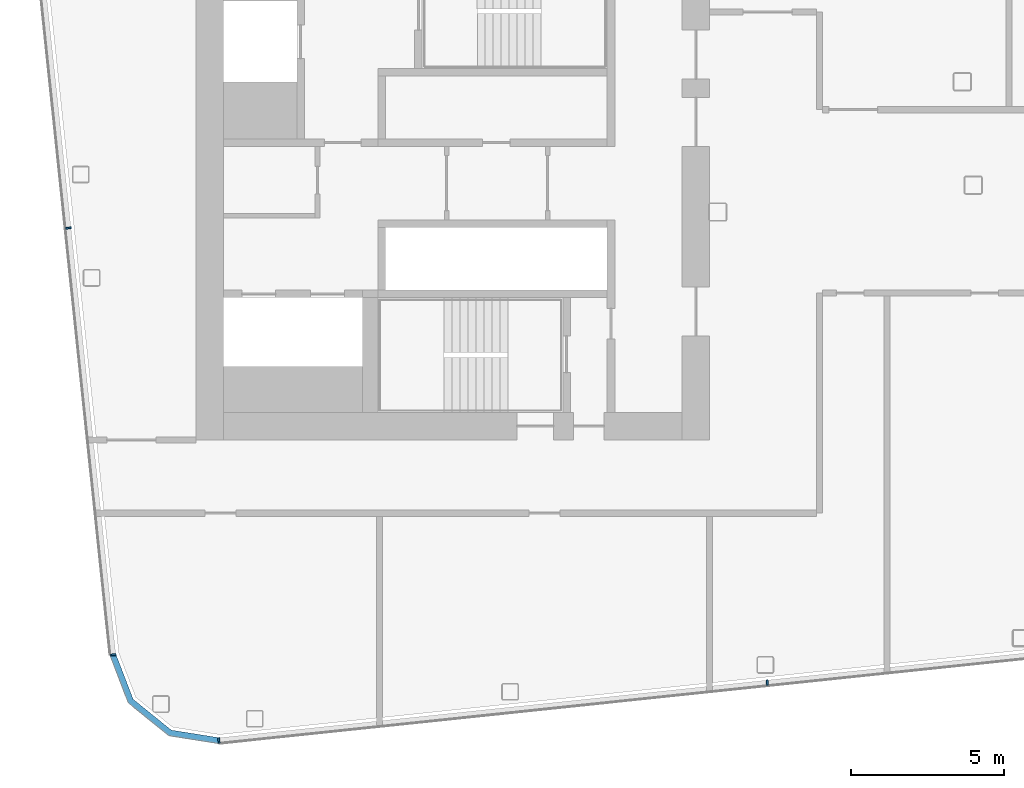
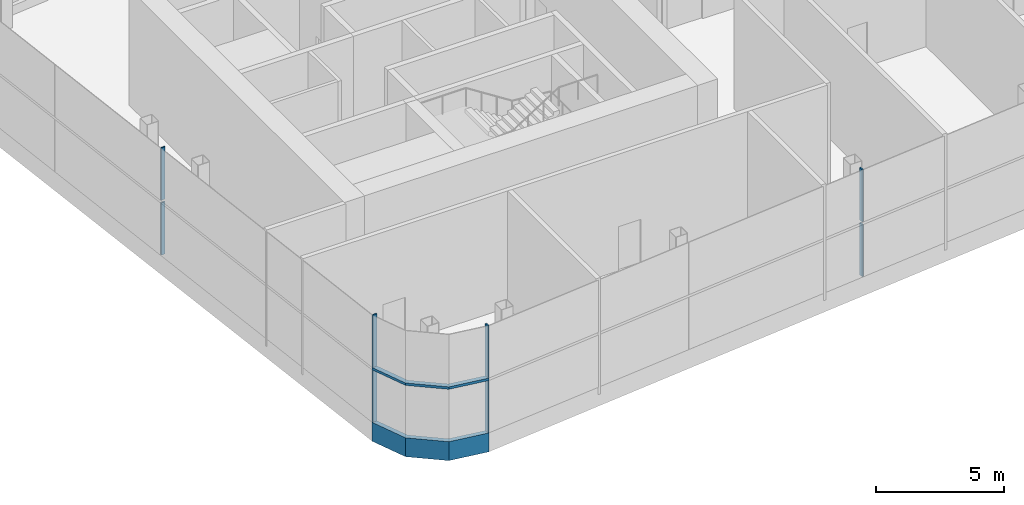
# One storey, part 3 of 35: 10 members, 3 elements without a shape of their own.
"""IFC4 building model written with IfcOpenShell, lengths in metres."""

from ifc_helpers import new_model, si_unit, direction, frame, origin, origin_2d, place, context, subcontext, project, spatial, polyline, rectangle, outline, extrude, material, layer, layer_set, material_profile, profile_set, type_object, element, aggregate, save


model = new_model("IFC4")

# Units and contexts
model_context = context("Model", 3, precision=1e-05, world=origin(), true_north=direction((0.0, 1.0)))
body_context = subcontext(model_context, "Body", "Model", "MODEL_VIEW")
ifc_project = project(units=[si_unit("LENGTHUNIT", "METRE"), si_unit("AREAUNIT", "SQUARE_METRE"), si_unit("VOLUMEUNIT", "CUBIC_METRE"), si_unit("PLANEANGLEUNIT", "RADIAN"), si_unit("MASSUNIT", "GRAM", prefix="KILO")], contexts=[model_context])

# Site, building, storey
site_placement = place(None, origin())
site = spatial("IfcSite", under=ifc_project, at=site_placement, CompositionType="ELEMENT")
building_placement = place(site_placement, origin())
building = spatial("IfcBuilding", under=site, at=building_placement, Name="Hakoniwa Tower and Hamabe Station Hall", CompositionType="ELEMENT")
storey_placement = place(building_placement, frame((0.0, 0.0, 264.60009765625)))
storey = spatial("IfcBuildingStorey", under=building, at=storey_placement, Name="L75", CompositionType="ELEMENT", Elevation=264.60009765625)

# Curtain wall, members
ifc_material_1 = material(Name="Dark low-e laminated glass", Category="glass")
ifc_layer = layer(ifc_material_1, 0.199951171875)
ifc_layer_set = layer_set([ifc_layer], Name="CW-1 UNITISED GUEST")
curtain_wall_type = type_object("IfcCurtainWallType", Name="CW-1 UNITISED GUEST", PredefinedType="NOTDEFINED", material=ifc_layer_set)
curtain_wall_1_placement = place(storey_placement, origin())
curtain_wall_1 = element("IfcCurtainWall", 1, at=curtain_wall_1_placement, inside=storey, type_object=curtain_wall_type, Name="CW-1 curtain wall", PredefinedType="NOTDEFINED")
ifc_material_2 = material(Name="Aluminium 6063-T5 black anodised", Category="aluminium")
ifc_material_profile_1 = material_profile(ifc_material_2, rectangle(XDim=0.199951171875, YDim=0.1201171875, at=origin_2d()), Name="CW MID TRANSOM 120X200")
ifc_profile_set_1 = profile_set([ifc_material_profile_1], Name="Aluminium 6063-T5 black anodised")
member_type_1 = type_object("IfcMemberType", Name="CW MID TRANSOM 120X200", PredefinedType="USERDEFINED", material=ifc_profile_set_1)
member_1_placement = place(storey_placement, frame((0.0, 0.0, 2.83984375)))
member_1 = element("IfcMember", 2, at=member_1_placement, type_object=member_type_1, Name="CW-1 transom", ObjectType="TRANSOM", PredefinedType="USERDEFINED", context=body_context, shape_type="SweptSolid", body=[
    extrude(outline(polyline([(-36.423828125, -15.445068359375), (-35.82421875, -17.0068359375), (-34.492431640625, -18.085205078125), (-32.84033203125, -18.346923828125), (-32.80908203125, -18.1494140625), (-34.408203125, -17.89599609375), (-35.65673828125, -16.885009765625), (-36.237060546875, -15.37353515625), (-36.423828125, -15.445068359375)])), origin(), (0.0, 0.0, 1.0), 0.1201171875),
])
ifc_material_3 = material(Name="Aluminium 6063-T5 black anodised", Category="aluminium")
ifc_material_profile_2 = material_profile(ifc_material_3, rectangle(XDim=0.199951171875, YDim=0.89990234375, at=origin_2d()), Name="CW SLAB-EDGE BAND 900X200")
ifc_profile_set_2 = profile_set([ifc_material_profile_2], Name="Aluminium 6063-T5 black anodised")
member_type_2 = type_object("IfcMemberType", Name="CW SLAB-EDGE BAND 900X200", PredefinedType="USERDEFINED", material=ifc_profile_set_2)
member_2_placement = place(storey_placement, frame((0.0, 0.0, -0.550048828125)))
member_2 = element("IfcMember", 3, at=member_2_placement, type_object=member_type_2, Name="CW-1 transom", ObjectType="TRANSOM", PredefinedType="USERDEFINED", context=body_context, shape_type="SweptSolid", body=[
    extrude(outline(polyline([(-36.423828125, -15.445068359375), (-35.82421875, -17.0068359375), (-34.492431640625, -18.085205078125), (-32.84033203125, -18.346923828125), (-32.80908203125, -18.1494140625), (-34.408203125, -17.89599609375), (-35.65673828125, -16.885009765625), (-36.237060546875, -15.37353515625), (-36.423828125, -15.445068359375)])), origin(), (0.0, 0.0, 1.0), 0.89990234375),
])
aggregate(curtain_wall_1, [member_2, member_1])

curtain_wall_2_placement = place(storey_placement, origin())
curtain_wall_2 = element("IfcCurtainWall", 4, at=curtain_wall_2_placement, inside=storey, type_object=curtain_wall_type, Name="CW-1 curtain wall", PredefinedType="NOTDEFINED")
ifc_material_4 = material(Name="Aluminium 6063-T5 black anodised", Category="aluminium")
ifc_material_profile_3 = material_profile(ifc_material_4, rectangle(XDim=0.06005859375, YDim=0.179931640625, at=origin_2d()), Name="CW-1 MULLION 60X180")
ifc_profile_set_3 = profile_set([ifc_material_profile_3], Name="Aluminium 6063-T5 black anodised")
member_type_3 = type_object("IfcMemberType", Name="CW-1 MULLION 60X180", PredefinedType="MULLION", material=ifc_profile_set_3)
member_3_placement = place(storey_placement, frame((-37.77392578125, -1.47021484375, 0.349853515625), z_axis=(0.0, 0.0, 1.0), x_axis=(0.104528468631, -0.994521894805, 0.0)))
member_3 = element("IfcMember", 5, at=member_3_placement, type_object=member_type_3, Name="CW-1 mullion", PredefinedType="MULLION", context=body_context, shape_type="SweptSolid", body=[
    extrude(rectangle(XDim=0.06005859375, YDim=0.179931640625, at=origin_2d()), origin(), (0.0, 0.0, 1.0), 2.489990234375),
])
member_4_placement = place(storey_placement, frame((-37.77392578125, -1.47021484375, 2.9599609375), z_axis=(0.0, 0.0, 1.0), x_axis=(0.104528468631, -0.994521894805, 0.0)))
member_4 = element("IfcMember", 6, at=member_4_placement, type_object=member_type_3, Name="CW-1 mullion", PredefinedType="MULLION", context=body_context, shape_type="SweptSolid", body=[
    extrude(rectangle(XDim=0.06005859375, YDim=0.179931640625, at=origin_2d()), origin(), (0.0, 0.0, 1.0), 2.489990234375),
])
member_5_placement = place(storey_placement, frame((-36.306396484375, -15.432861328125, 0.349853515625), z_axis=(0.0, 0.0, 1.0), x_axis=(0.104528468631, -0.994521894805, 0.0)))
member_5 = element("IfcMember", 7, at=member_5_placement, type_object=member_type_3, Name="CW-1 mullion", PredefinedType="MULLION", context=body_context, shape_type="SweptSolid", body=[
    extrude(rectangle(XDim=0.06005859375, YDim=0.179931640625, at=origin_2d()), origin(), (0.0, 0.0, 1.0), 2.489990234375),
])
member_6_placement = place(storey_placement, frame((-36.306396484375, -15.432861328125, 2.9599609375), z_axis=(0.0, 0.0, 1.0), x_axis=(0.104528468631, -0.994521894805, 0.0)))
member_6 = element("IfcMember", 8, at=member_6_placement, type_object=member_type_3, Name="CW-1 mullion", PredefinedType="MULLION", context=body_context, shape_type="SweptSolid", body=[
    extrude(rectangle(XDim=0.06005859375, YDim=0.179931640625, at=origin_2d()), origin(), (0.0, 0.0, 1.0), 2.489990234375),
])
aggregate(curtain_wall_2, [member_3, member_4, member_5, member_6])

curtain_wall_3_placement = place(storey_placement, origin())
curtain_wall_3 = element("IfcCurtainWall", 9, at=curtain_wall_3_placement, inside=storey, type_object=curtain_wall_type, Name="CW-1 curtain wall", PredefinedType="NOTDEFINED")
member_7_placement = place(storey_placement, frame((-32.8525390625, -18.2294921875, 0.349853515625), z_axis=(0.0, 0.0, 1.0), x_axis=(0.994521895272, 0.104528464188, 0.0)))
member_7 = element("IfcMember", 10, at=member_7_placement, type_object=member_type_3, Name="CW-1 mullion", PredefinedType="MULLION", context=body_context, shape_type="SweptSolid", body=[
    extrude(rectangle(XDim=0.06005859375, YDim=0.179931640625, at=origin_2d()), origin(), (0.0, 0.0, 1.0), 2.489990234375),
])
member_8_placement = place(storey_placement, frame((-32.8525390625, -18.2294921875, 2.9599609375), z_axis=(0.0, 0.0, 1.0), x_axis=(0.994521895272, 0.104528464188, 0.0)))
member_8 = element("IfcMember", 11, at=member_8_placement, type_object=member_type_3, Name="CW-1 mullion", PredefinedType="MULLION", context=body_context, shape_type="SweptSolid", body=[
    extrude(rectangle(XDim=0.06005859375, YDim=0.179931640625, at=origin_2d()), origin(), (0.0, 0.0, 1.0), 2.489990234375),
])
member_9_placement = place(storey_placement, frame((-14.911865234375, -16.343994140625, 0.349853515625), z_axis=(0.0, 0.0, 1.0), x_axis=(0.994521895272, 0.104528464188, 0.0)))
member_9 = element("IfcMember", 12, at=member_9_placement, type_object=member_type_3, Name="CW-1 mullion", PredefinedType="MULLION", context=body_context, shape_type="SweptSolid", body=[
    extrude(rectangle(XDim=0.06005859375, YDim=0.179931640625, at=origin_2d()), origin(), (0.0, 0.0, 1.0), 2.489990234375),
])
member_10_placement = place(storey_placement, frame((-14.911865234375, -16.343994140625, 2.9599609375), z_axis=(0.0, 0.0, 1.0), x_axis=(0.994521895272, 0.104528464188, 0.0)))
member_10 = element("IfcMember", 13, at=member_10_placement, type_object=member_type_3, Name="CW-1 mullion", PredefinedType="MULLION", context=body_context, shape_type="SweptSolid", body=[
    extrude(rectangle(XDim=0.06005859375, YDim=0.179931640625, at=origin_2d()), origin(), (0.0, 0.0, 1.0), 2.489990234375),
])
aggregate(curtain_wall_3, [member_7, member_8, member_9, member_10])

save(model, "model.ifc")
